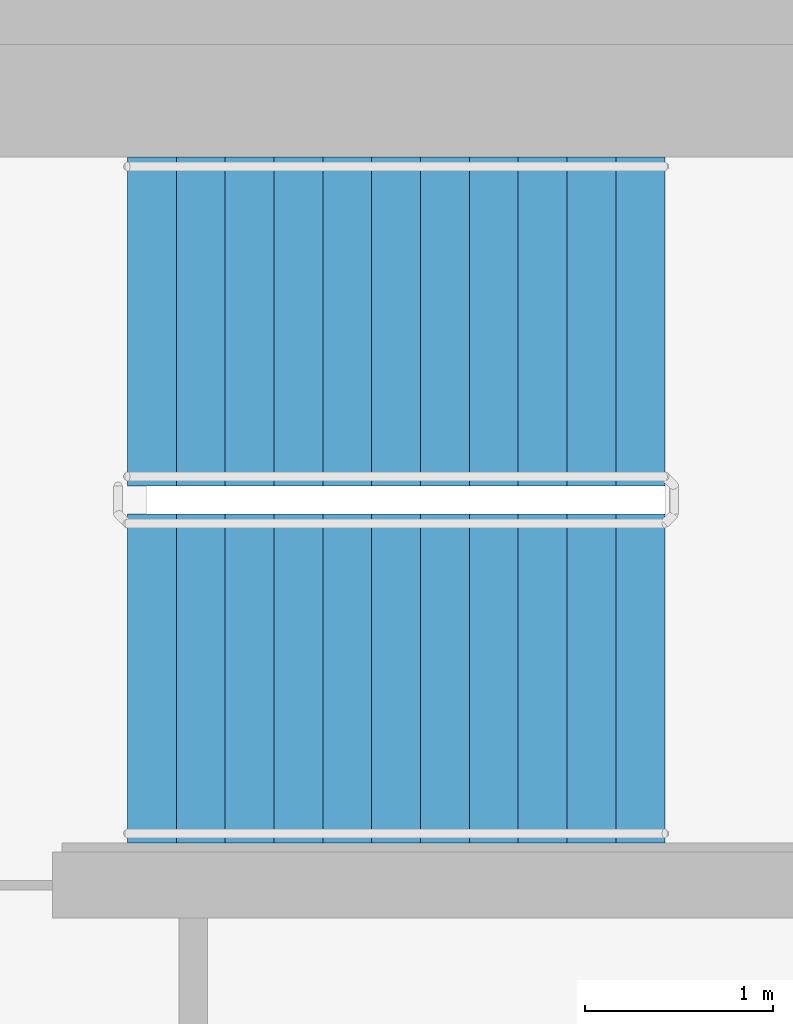
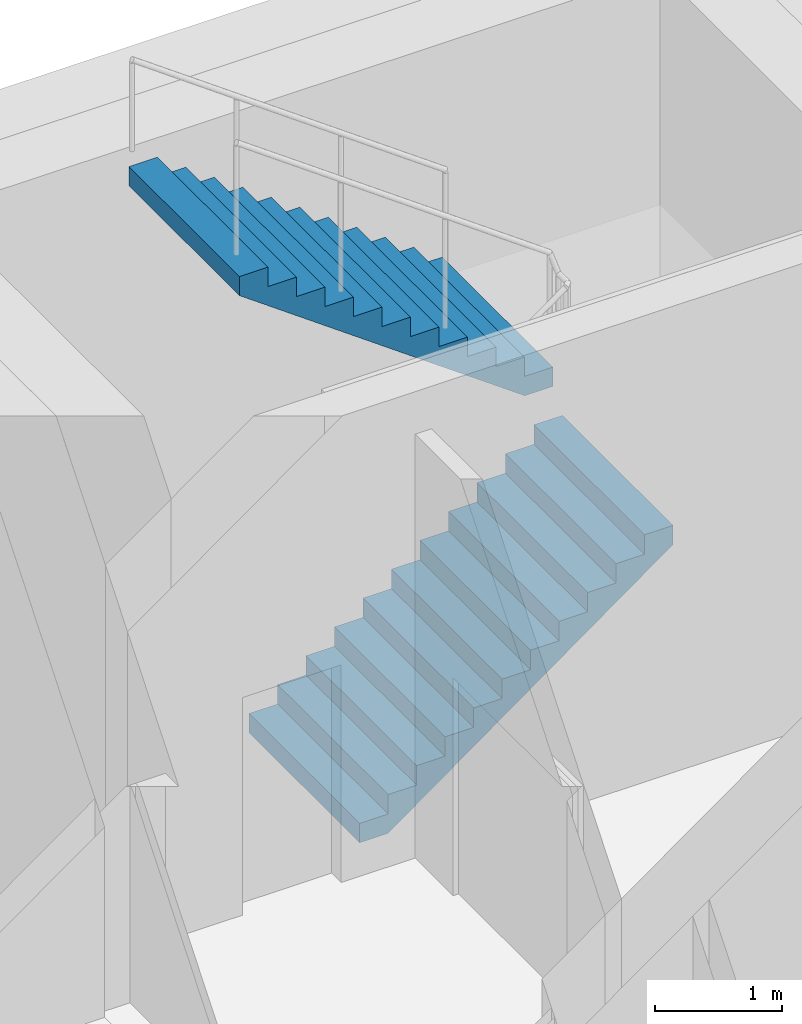
# One storey, part 9 of 12: 2 stair flights, 1 element without a shape of its own.
"""IFC4 building model written with IfcOpenShell, lengths in metres."""

import ifcopenshell
import ifcopenshell.guid

model = None  # the IFC model being written
_history = None  # IfcOwnerHistory: only IFC2X3 demands one
_inside = {}  # id of a spatial element -> (the spatial element, [elements in it])
_under = {}  # id of a project, library or spatial element -> (it, [spatial elements below it])
_declared = {}  # id of a project -> (the project, [libraries it declares])
_typed = {}  # id of a type object -> (the type object, [elements of that type])
_made_of = {}  # id of a material, layer set ... -> (it, [elements and type objects made of it])


def new_model(schema):
    """Start an empty IFC model of exactly this schema.

    Asked for "IFC4X3", IfcOpenShell would pick the latest addendum, in which some entities
    have other attributes; the version numbers below select the first issue.
    IFC2X3 requires an IfcOwnerHistory on every rooted entity: one is made here for all.
    """
    global model, _history
    if schema == "IFC4X3":
        model = ifcopenshell.file(schema_version=(4, 3, 0, 0))
    else:
        model = ifcopenshell.file(schema=schema)
    _inside.clear()
    _under.clear()
    _declared.clear()
    _typed.clear()
    _made_of.clear()
    _history = None
    if model.schema == "IFC2X3":
        org = make("IfcOrganization", Name="unknown")
        user = make(
            "IfcPersonAndOrganization",
            ThePerson=make("IfcPerson", FamilyName="unknown"),
            TheOrganization=org,
        )
        app = make(
            "IfcApplication",
            ApplicationDeveloper=org,
            Version="unknown",
            ApplicationFullName="unknown",
            ApplicationIdentifier="unknown",
        )
        _history = make(
            "IfcOwnerHistory",
            OwningUser=user,
            OwningApplication=app,
            ChangeAction="ADDED",
            CreationDate=0,
        )
    return model


def make(cls, **values):
    """One entity of the class cls with the attributes given. An attribute that is None is left unset."""
    return model.create_entity(
        cls, **{name: value for name, value in values.items() if value is not None}
    )


def rooted(cls, **values):
    """An entity with a GlobalId (a new one), such as an element, a storey or a relation."""
    return make(cls, GlobalId=ifcopenshell.guid.new(), OwnerHistory=_history, **values)


def si_unit(unit_type, name, prefix=None):
    """IfcSIUnit, for example si_unit("LENGTHUNIT", "METRE", prefix="MILLI")."""
    return make("IfcSIUnit", UnitType=unit_type, Prefix=prefix, Name=name)


def assignment(units):
    """IfcUnitAssignment: the units of a project."""
    return None if units is None else make("IfcUnitAssignment", Units=units)


def point(xyz):
    """IfcCartesianPoint."""
    return None if xyz is None else make("IfcCartesianPoint", Coordinates=xyz)


def direction(xyz):
    """IfcDirection."""
    return None if xyz is None else make("IfcDirection", DirectionRatios=xyz)


def frame(location, z_axis=None, x_axis=None):
    """IfcAxis2Placement3D, a coordinate frame: its origin and axes. An axis left out is left unset."""
    return make(
        "IfcAxis2Placement3D",
        Location=point(location),
        Axis=direction(z_axis),
        RefDirection=direction(x_axis),
    )


def origin():
    """The frame at (0, 0, 0) with its axes left unset."""
    return frame((0.0, 0.0, 0.0))


def place(relative_to, where):
    """IfcLocalPlacement: puts the frame where relative to a parent placement (None: the world)."""
    return make(
        "IfcLocalPlacement", PlacementRelTo=relative_to, RelativePlacement=where
    )


def context(
    kind, dimensions, precision=None, world=None, true_north=None, identifier=None
):
    """IfcGeometricRepresentationContext, for example the 3D "Model" context."""
    return make(
        "IfcGeometricRepresentationContext",
        ContextIdentifier=identifier,
        ContextType=kind,
        CoordinateSpaceDimension=dimensions,
        Precision=precision,
        WorldCoordinateSystem=world,
        TrueNorth=true_north,
    )


def subcontext(parent, identifier, kind, view, scale=None):
    """IfcGeometricRepresentationSubContext, for example "Body" below "Model"."""
    return make(
        "IfcGeometricRepresentationSubContext",
        ContextIdentifier=identifier,
        ContextType=kind,
        ParentContext=parent,
        TargetScale=scale,
        TargetView=view,
    )


def project(units=None, contexts=None):
    """IfcProject with its units and contexts."""
    return rooted(
        "IfcProject",
        Name="project",
        RepresentationContexts=contexts,
        UnitsInContext=assignment(units),
    )


def spatial(cls, under=None, at=None, **own):
    """A site, building, storey or space (cls), placed at a placement, below another one or the project."""
    s = rooted(cls, ObjectPlacement=at, **own)
    if under is not None:
        _under.setdefault(under.id(), (under, []))[1].append(s)
    return s


def faces_of(points, faces, orient=None, outer=None):
    """IfcFace entities. A face is a list of loops; a loop is a list of indices into points, from 0.

    orient and outer hold one flag for each loop. By default every Orientation is true, the
    first loop of a face is its IfcFaceOuterBound and the others are IfcFaceBound.
    """
    made = []
    for i, loops in enumerate(faces):
        bounds = []
        for j, loop in enumerate(loops):
            is_outer = j == 0 if outer is None else outer[i][j]
            bounds.append(
                make(
                    "IfcFaceOuterBound" if is_outer else "IfcFaceBound",
                    Bound=make("IfcPolyLoop", Polygon=[points[k] for k in loop]),
                    Orientation=True if orient is None else orient[i][j],
                )
            )
        made.append(make("IfcFace", Bounds=bounds))
    return made


def faceted_brep(points, faces, orient=None, outer=None, voids=None):
    """IfcFacetedBrep: a solid bounded by flat faces; with voids (closed shells), ...WithVoids."""
    shared = [point(p) for p in points]
    hull = make("IfcClosedShell", CfsFaces=faces_of(shared, faces, orient, outer))
    if voids is None:
        return make("IfcFacetedBrep", Outer=hull)
    return make(
        "IfcFacetedBrepWithVoids",
        Outer=hull,
        Voids=[
            make(cls, CfsFaces=faces_of(shared, fs, o, b)) for cls, fs, o, b in voids
        ],
    )


def shape(context_of_items, identifier, shape_type, items):
    """IfcShapeRepresentation: the items that make up one representation, for example the "Body"."""
    return make(
        "IfcShapeRepresentation",
        ContextOfItems=context_of_items,
        RepresentationIdentifier=identifier,
        RepresentationType=shape_type,
        Items=items,
    )


def material(Name=None, Category=None):
    """IfcMaterial."""
    return make("IfcMaterial", Name=Name, Category=Category)


def made_of(thing, what):
    """Note that an element or type object is made of a material, layer set ...; save() writes the relation."""
    if what is not None:
        _made_of.setdefault(what.id(), (what, []))[1].append(thing)
    return thing


def type_object(cls, material=None, **own):
    """A type object (cls), such as IfcWallType, which elements share."""
    return made_of(rooted(cls, **own), material)


def element(
    cls,
    number,
    at=None,
    inside=None,
    cuts=None,
    type_object=None,
    material=None,
    context=None,
    identifier="Body",
    shape_type=None,
    held_by="IfcProductDefinitionShape",
    body=None,
    shapes=None,
    **own,
):
    """One element of the class cls, such as IfcWall. Its Tag is "e" and its number.

    at: its placement. inside: the storey or other place that contains it. cuts: it is an
    opening in that element (IfcRelVoidsElement). A single representation is given by context,
    identifier, shape_type and body (its items); several are given by shapes. held_by: the class
    of the entity that holds the representations. save() writes the other relations.
    """
    e = rooted(cls, Tag="e%d" % number, ObjectPlacement=at, **own)
    if body is not None:
        shapes = [shape(context, identifier, shape_type, body)]
    if shapes is not None:
        e.Representation = make(held_by, Representations=shapes)
    if inside is not None:
        _inside.setdefault(inside.id(), (inside, []))[1].append(e)
    if cuts is not None:
        rooted(
            "IfcRelVoidsElement", RelatingBuildingElement=cuts, RelatedOpeningElement=e
        )
    if type_object is not None:
        _typed.setdefault(type_object.id(), (type_object, []))[1].append(e)
    return made_of(e, material)


def aggregate(whole, parts):
    """IfcRelAggregates: a whole, such as a stair, and the parts it consists of."""
    return rooted("IfcRelAggregates", RelatingObject=whole, RelatedObjects=parts)


def save(model, path):
    """Write the relations noted so far, then the file.

    IfcRelAggregates (storeys below a building ...), IfcRelContainedInSpatialStructure (elements
    in a storey), IfcRelDefinesByType, IfcRelAssociatesMaterial and IfcRelDeclares: one each for
    every whole, place, type object, material and project.
    """
    for whole, parts in _under.values():
        aggregate(whole, parts)
    for where, things in _inside.values():
        rooted(
            "IfcRelContainedInSpatialStructure",
            RelatedElements=things,
            RelatingStructure=where,
        )
    for kind, things in _typed.values():
        rooted("IfcRelDefinesByType", RelatedObjects=things, RelatingType=kind)
    for what, things in _made_of.values():
        rooted("IfcRelAssociatesMaterial", RelatedObjects=things, RelatingMaterial=what)
    for by, libraries in _declared.values():
        rooted("IfcRelDeclares", RelatingContext=by, RelatedDefinitions=libraries)
    model.write(path)


model = new_model("IFC4")

# Units and contexts
model_context = context("Model", 3, precision=1e-05, world=origin(), true_north=direction((0.0, 1.0)))
body_context = subcontext(model_context, "Body", "Model", "MODEL_VIEW")
ifc_project = project(units=[si_unit("LENGTHUNIT", "METRE"), si_unit("AREAUNIT", "SQUARE_METRE"), si_unit("VOLUMEUNIT", "CUBIC_METRE"), si_unit("PLANEANGLEUNIT", "RADIAN"), si_unit("MASSUNIT", "GRAM", prefix="KILO")], contexts=[model_context])

# Site, building, storey
site_placement = place(None, origin())
site = spatial("IfcSite", under=ifc_project, at=site_placement, CompositionType="ELEMENT")
building_placement = place(site_placement, origin())
building = spatial("IfcBuilding", under=site, at=building_placement, Name="Ipe Terrace Towers", CompositionType="ELEMENT")
storey_placement = place(building_placement, frame((0.0, 0.0, 260.39990234375)))
storey = spatial("IfcBuildingStorey", under=building, at=storey_placement, Name="L71", CompositionType="ELEMENT", Elevation=260.39990234375)

# Stair, stair flights
ifc_material_1 = material(Name="Concrete C30/37", Category="concrete")
stair_type = type_object("IfcStairType", Name="Protected exit stair", PredefinedType="HALF_TURN_STAIR", material=ifc_material_1)
stair_placement = place(storey_placement, origin())
stair = element("IfcStair", 1, at=stair_placement, inside=storey, type_object=stair_type, Name="L71 Exit stair T1-C1", PredefinedType="HALF_TURN_STAIR")
ifc_material_2 = material(Name="Concrete C30/37", Category="concrete")
stair_flight_type = type_object("IfcStairFlightType", Name="Exit stair flight 1750", PredefinedType="STRAIGHT", material=ifc_material_2)
stair_flight_1_placement = place(storey_placement, frame((-26.300048828125, 2.77490234375, 0.0), z_axis=(0.0, 0.0, 1.0), x_axis=(1.0, 0.0, 0.0)))
stair_flight_1 = element("IfcStairFlight", 2, at=stair_flight_1_placement, type_object=stair_flight_type, Name="T1-ST1 flight 1", NumberOfRisers=12, NumberOfTreads=11, PredefinedType="STRAIGHT", RiserHeight=0.1875, TreadLength=0.26, context=body_context, shape_type="Brep", body=[
    faceted_brep([(0.25634765625, -0.875, 0.0), (2.860107421875, -0.875, 1.877685546875), (2.860107421875, -0.875, 2.0625), (2.60009765625, -0.875, 2.0625), (2.60009765625, -0.875, 1.875), (2.340087890625, -0.875, 1.875), (2.340087890625, -0.875, 1.6875), (2.080078125, -0.875, 1.6875), (2.080078125, -0.875, 1.5), (1.820068359375, -0.875, 1.5), (1.820068359375, -0.875, 1.3125), (1.56005859375, -0.875, 1.3125), (1.56005859375, -0.875, 1.125), (1.300048828125, -0.875, 1.125), (1.300048828125, -0.875, 0.9375), (1.0400390625, -0.875, 0.9375), (1.0400390625, -0.875, 0.75), (0.780029296875, -0.875, 0.75), (0.780029296875, -0.875, 0.5625), (0.52001953125, -0.875, 0.5625), (0.52001953125, -0.875, 0.375), (0.260009765625, -0.875, 0.375), (0.260009765625, -0.875, 0.1875), (0.0, -0.875, 0.1875), (0.0, -0.875, 0.0), (0.0, 0.875, 0.0), (0.0, 0.875, 0.1875), (0.260009765625, 0.875, 0.1875), (0.260009765625, 0.875, 0.375), (0.52001953125, 0.875, 0.375), (0.52001953125, 0.875, 0.5625), (0.780029296875, 0.875, 0.5625), (0.780029296875, 0.875, 0.75), (1.0400390625, 0.875, 0.75), (1.0400390625, 0.875, 0.9375), (1.300048828125, 0.875, 0.9375), (1.300048828125, 0.875, 1.125), (1.56005859375, 0.875, 1.125), (1.56005859375, 0.875, 1.3125), (1.820068359375, 0.875, 1.3125), (1.820068359375, 0.875, 1.5), (2.080078125, 0.875, 1.5), (2.080078125, 0.875, 1.6875), (2.340087890625, 0.875, 1.6875), (2.340087890625, 0.875, 1.875), (2.60009765625, 0.875, 1.875), (2.60009765625, 0.875, 2.0625), (2.860107421875, 0.875, 2.0625), (2.860107421875, 0.875, 1.877685546875), (0.25634765625, 0.875, 0.0), (0.0, -0.300048828125, 0.1875), (0.0, -0.1201171875, 0.1875), (0.0, -0.06005859375, 0.1875), (0.0, -0.030029296875, 0.1875), (0.0, -0.010009765625, 0.1875), (0.0, 0.0, 0.1875), (0.0, 0.010009765625, 0.1875), (0.0, 0.030029296875, 0.1875), (0.0, 0.06005859375, 0.1875), (0.0, 0.1201171875, 0.1875), (0.0, 0.300048828125, 0.1875), (0.0, 0.300048828125, 0.0), (0.0, 0.1201171875, 0.0), (0.0, 0.06005859375, 0.0), (0.0, 0.030029296875, 0.0), (0.0, 0.010009765625, 0.0), (0.0, 0.0, 0.0), (0.0, -0.010009765625, 0.0), (0.0, -0.030029296875, 0.0), (0.0, -0.06005859375, 0.0), (0.0, -0.1201171875, 0.0), (0.0, -0.300048828125, 0.0), (0.260009765625, -0.300048828125, 0.1875), (0.260009765625, -0.1201171875, 0.1875), (0.260009765625, -0.06005859375, 0.1875), (0.260009765625, -0.030029296875, 0.1875), (0.260009765625, -0.010009765625, 0.1875), (0.260009765625, 0.0, 0.1875), (0.260009765625, 0.010009765625, 0.1875), (0.260009765625, 0.030029296875, 0.1875), (0.260009765625, 0.06005859375, 0.1875), (0.260009765625, 0.1201171875, 0.1875), (0.260009765625, 0.300048828125, 0.1875), (0.260009765625, -0.300048828125, 0.375), (0.260009765625, -0.1201171875, 0.375), (0.260009765625, -0.06005859375, 0.375), (0.260009765625, -0.030029296875, 0.375), (0.260009765625, -0.010009765625, 0.375), (0.260009765625, 0.0, 0.375), (0.260009765625, 0.010009765625, 0.375), (0.260009765625, 0.030029296875, 0.375), (0.260009765625, 0.06005859375, 0.375), (0.260009765625, 0.1201171875, 0.375), (0.260009765625, 0.300048828125, 0.375), (0.52001953125, -0.300048828125, 0.375), (0.52001953125, -0.1201171875, 0.375), (0.52001953125, -0.06005859375, 0.375), (0.52001953125, -0.030029296875, 0.375), (0.52001953125, -0.010009765625, 0.375), (0.52001953125, 0.0, 0.375), (0.52001953125, 0.010009765625, 0.375), (0.52001953125, 0.030029296875, 0.375), (0.52001953125, 0.06005859375, 0.375), (0.52001953125, 0.1201171875, 0.375), (0.52001953125, 0.300048828125, 0.375), (0.52001953125, -0.300048828125, 0.5625), (0.52001953125, -0.1201171875, 0.5625), (0.52001953125, -0.06005859375, 0.5625), (0.52001953125, -0.030029296875, 0.5625), (0.52001953125, -0.010009765625, 0.5625), (0.52001953125, 0.0, 0.5625), (0.52001953125, 0.010009765625, 0.5625), (0.52001953125, 0.030029296875, 0.5625), (0.52001953125, 0.06005859375, 0.5625), (0.52001953125, 0.1201171875, 0.5625), (0.52001953125, 0.300048828125, 0.5625), (0.780029296875, -0.300048828125, 0.5625), (0.780029296875, -0.1201171875, 0.5625), (0.780029296875, -0.06005859375, 0.5625), (0.780029296875, -0.030029296875, 0.5625), (0.780029296875, -0.010009765625, 0.5625), (0.780029296875, 0.0, 0.5625), (0.780029296875, 0.010009765625, 0.5625), (0.780029296875, 0.030029296875, 0.5625), (0.780029296875, 0.06005859375, 0.5625), (0.780029296875, 0.1201171875, 0.5625), (0.780029296875, 0.300048828125, 0.5625), (0.780029296875, -0.300048828125, 0.75), (0.780029296875, -0.1201171875, 0.75), (0.780029296875, -0.06005859375, 0.75), (0.780029296875, -0.030029296875, 0.75), (0.780029296875, -0.010009765625, 0.75), (0.780029296875, 0.0, 0.75), (0.780029296875, 0.010009765625, 0.75), (0.780029296875, 0.030029296875, 0.75), (0.780029296875, 0.06005859375, 0.75), (0.780029296875, 0.1201171875, 0.75), (0.780029296875, 0.300048828125, 0.75), (1.0400390625, -0.300048828125, 0.75), (1.0400390625, -0.1201171875, 0.75), (1.0400390625, -0.06005859375, 0.75), (1.0400390625, -0.030029296875, 0.75), (1.0400390625, -0.010009765625, 0.75), (1.0400390625, 0.0, 0.75), (1.0400390625, 0.010009765625, 0.75), (1.0400390625, 0.030029296875, 0.75), (1.0400390625, 0.06005859375, 0.75), (1.0400390625, 0.1201171875, 0.75), (1.0400390625, 0.300048828125, 0.75), (1.0400390625, -0.300048828125, 0.9375), (1.0400390625, -0.1201171875, 0.9375), (1.0400390625, -0.06005859375, 0.9375), (1.0400390625, -0.030029296875, 0.9375), (1.0400390625, -0.010009765625, 0.9375), (1.0400390625, 0.0, 0.9375), (1.0400390625, 0.010009765625, 0.9375), (1.0400390625, 0.030029296875, 0.9375), (1.0400390625, 0.06005859375, 0.9375), (1.0400390625, 0.1201171875, 0.9375), (1.0400390625, 0.300048828125, 0.9375), (1.300048828125, -0.300048828125, 0.9375), (1.300048828125, -0.1201171875, 0.9375), (1.300048828125, -0.06005859375, 0.9375), (1.300048828125, -0.030029296875, 0.9375), (1.300048828125, -0.010009765625, 0.9375), (1.300048828125, 0.0, 0.9375), (1.300048828125, 0.010009765625, 0.9375), (1.300048828125, 0.030029296875, 0.9375), (1.300048828125, 0.06005859375, 0.9375), (1.300048828125, 0.1201171875, 0.9375), (1.300048828125, 0.300048828125, 0.9375), (1.300048828125, -0.300048828125, 1.125), (1.300048828125, -0.1201171875, 1.125), (1.300048828125, -0.06005859375, 1.125), (1.300048828125, -0.030029296875, 1.125), (1.300048828125, -0.010009765625, 1.125), (1.300048828125, 0.0, 1.125), (1.300048828125, 0.010009765625, 1.125), (1.300048828125, 0.030029296875, 1.125), (1.300048828125, 0.06005859375, 1.125), (1.300048828125, 0.1201171875, 1.125), (1.300048828125, 0.300048828125, 1.125), (1.56005859375, -0.300048828125, 1.125), (1.56005859375, -0.1201171875, 1.125), (1.56005859375, -0.06005859375, 1.125), (1.56005859375, -0.030029296875, 1.125), (1.56005859375, -0.010009765625, 1.125), (1.56005859375, 0.0, 1.125), (1.56005859375, 0.010009765625, 1.125), (1.56005859375, 0.030029296875, 1.125), (1.56005859375, 0.06005859375, 1.125), (1.56005859375, 0.1201171875, 1.125), (1.56005859375, 0.300048828125, 1.125), (1.56005859375, -0.300048828125, 1.3125), (1.56005859375, -0.1201171875, 1.3125), (1.56005859375, -0.06005859375, 1.3125), (1.56005859375, -0.030029296875, 1.3125), (1.56005859375, -0.010009765625, 1.3125), (1.56005859375, 0.0, 1.3125), (1.56005859375, 0.010009765625, 1.3125), (1.56005859375, 0.030029296875, 1.3125), (1.56005859375, 0.06005859375, 1.3125), (1.56005859375, 0.1201171875, 1.3125), (1.56005859375, 0.300048828125, 1.3125), (1.820068359375, -0.300048828125, 1.3125), (1.820068359375, -0.1201171875, 1.3125), (1.820068359375, -0.06005859375, 1.3125), (1.820068359375, -0.030029296875, 1.3125), (1.820068359375, -0.010009765625, 1.3125), (1.820068359375, 0.0, 1.3125), (1.820068359375, 0.010009765625, 1.3125), (1.820068359375, 0.030029296875, 1.3125), (1.820068359375, 0.06005859375, 1.3125), (1.820068359375, 0.1201171875, 1.3125), (1.820068359375, 0.300048828125, 1.3125), (1.820068359375, -0.300048828125, 1.5), (1.820068359375, -0.1201171875, 1.5), (1.820068359375, -0.06005859375, 1.5), (1.820068359375, -0.030029296875, 1.5), (1.820068359375, -0.010009765625, 1.5), (1.820068359375, 0.0, 1.5), (1.820068359375, 0.010009765625, 1.5), (1.820068359375, 0.030029296875, 1.5), (1.820068359375, 0.06005859375, 1.5), (1.820068359375, 0.1201171875, 1.5), (1.820068359375, 0.300048828125, 1.5), (2.080078125, -0.300048828125, 1.5), (2.080078125, -0.1201171875, 1.5), (2.080078125, -0.06005859375, 1.5), (2.080078125, -0.030029296875, 1.5), (2.080078125, -0.010009765625, 1.5), (2.080078125, 0.0, 1.5), (2.080078125, 0.010009765625, 1.5), (2.080078125, 0.030029296875, 1.5), (2.080078125, 0.06005859375, 1.5), (2.080078125, 0.1201171875, 1.5), (2.080078125, 0.300048828125, 1.5), (2.080078125, -0.300048828125, 1.6875), (2.080078125, -0.1201171875, 1.6875), (2.080078125, -0.06005859375, 1.6875), (2.080078125, -0.030029296875, 1.6875), (2.080078125, -0.010009765625, 1.6875), (2.080078125, 0.0, 1.6875), (2.080078125, 0.010009765625, 1.6875), (2.080078125, 0.030029296875, 1.6875), (2.080078125, 0.06005859375, 1.6875), (2.080078125, 0.1201171875, 1.6875), (2.080078125, 0.300048828125, 1.6875), (2.340087890625, -0.300048828125, 1.6875), (2.340087890625, -0.1201171875, 1.6875), (2.340087890625, -0.06005859375, 1.6875), (2.340087890625, -0.030029296875, 1.6875), (2.340087890625, -0.010009765625, 1.6875), (2.340087890625, 0.0, 1.6875), (2.340087890625, 0.010009765625, 1.6875), (2.340087890625, 0.030029296875, 1.6875), (2.340087890625, 0.06005859375, 1.6875), (2.340087890625, 0.1201171875, 1.6875), (2.340087890625, 0.300048828125, 1.6875), (2.340087890625, -0.300048828125, 1.875), (2.340087890625, -0.1201171875, 1.875), (2.340087890625, -0.06005859375, 1.875), (2.340087890625, -0.030029296875, 1.875), (2.340087890625, -0.010009765625, 1.875), (2.340087890625, 0.0, 1.875), (2.340087890625, 0.010009765625, 1.875), (2.340087890625, 0.030029296875, 1.875), (2.340087890625, 0.06005859375, 1.875), (2.340087890625, 0.1201171875, 1.875), (2.340087890625, 0.300048828125, 1.875), (2.60009765625, -0.300048828125, 1.875), (2.60009765625, -0.1201171875, 1.875), (2.60009765625, -0.06005859375, 1.875), (2.60009765625, -0.030029296875, 1.875), (2.60009765625, -0.010009765625, 1.875), (2.60009765625, 0.0, 1.875), (2.60009765625, 0.010009765625, 1.875), (2.60009765625, 0.030029296875, 1.875), (2.60009765625, 0.06005859375, 1.875), (2.60009765625, 0.1201171875, 1.875), (2.60009765625, 0.300048828125, 1.875), (2.60009765625, -0.300048828125, 2.0625), (2.60009765625, -0.1201171875, 2.0625), (2.60009765625, -0.06005859375, 2.0625), (2.60009765625, -0.030029296875, 2.0625), (2.60009765625, -0.010009765625, 2.0625), (2.60009765625, 0.0, 2.0625), (2.60009765625, 0.010009765625, 2.0625), (2.60009765625, 0.030029296875, 2.0625), (2.60009765625, 0.06005859375, 2.0625), (2.60009765625, 0.1201171875, 2.0625), (2.60009765625, 0.300048828125, 2.0625), (2.860107421875, -0.300048828125, 2.0625), (2.860107421875, -0.1201171875, 2.0625), (2.860107421875, -0.06005859375, 2.0625), (2.860107421875, -0.030029296875, 2.0625), (2.860107421875, -0.010009765625, 2.0625), (2.860107421875, 0.0, 2.0625), (2.860107421875, 0.010009765625, 2.0625), (2.860107421875, 0.030029296875, 2.0625), (2.860107421875, 0.06005859375, 2.0625), (2.860107421875, 0.1201171875, 2.0625), (2.860107421875, 0.300048828125, 2.0625), (2.860107421875, -0.300048828125, 1.877685546875), (2.860107421875, -0.1201171875, 1.877685546875), (2.860107421875, -0.06005859375, 1.877685546875), (2.860107421875, -0.030029296875, 1.877685546875), (2.860107421875, -0.010009765625, 1.877685546875), (2.860107421875, 0.0, 1.877685546875), (2.860107421875, 0.010009765625, 1.877685546875), (2.860107421875, 0.030029296875, 1.877685546875), (2.860107421875, 0.06005859375, 1.877685546875), (2.860107421875, 0.1201171875, 1.877685546875), (2.860107421875, 0.300048828125, 1.877685546875), (0.25634765625, -0.300048828125, 0.0), (0.25634765625, -0.1201171875, 0.0), (0.25634765625, -0.06005859375, 0.0), (0.25634765625, -0.030029296875, 0.0), (0.25634765625, -0.010009765625, 0.0), (0.25634765625, 0.0, 0.0), (0.25634765625, 0.010009765625, 0.0), (0.25634765625, 0.030029296875, 0.0), (0.25634765625, 0.06005859375, 0.0), (0.25634765625, 0.1201171875, 0.0), (0.25634765625, 0.300048828125, 0.0)], [[[0, 1, 2, 3, 4, 5, 6, 7, 8, 9, 10, 11, 12, 13, 14, 15, 16, 17, 18, 19, 20, 21, 22, 23, 24]], [[25, 26, 27, 28, 29, 30, 31, 32, 33, 34, 35, 36, 37, 38, 39, 40, 41, 42, 43, 44, 45, 46, 47, 48, 49]], [[23, 50, 51, 52, 53, 54, 55, 56, 57, 58, 59, 60, 26, 25, 61, 62, 63, 64, 65, 66, 67, 68, 69, 70, 71, 24]], [[22, 72, 73, 74, 75, 76, 77, 78, 79, 80, 81, 82, 27, 26, 60, 59, 58, 57, 56, 55, 54, 53, 52, 51, 50, 23]], [[21, 83, 84, 85, 86, 87, 88, 89, 90, 91, 92, 93, 28, 27, 82, 81, 80, 79, 78, 77, 76, 75, 74, 73, 72, 22]], [[20, 94, 95, 96, 97, 98, 99, 100, 101, 102, 103, 104, 29, 28, 93, 92, 91, 90, 89, 88, 87, 86, 85, 84, 83, 21]], [[19, 105, 106, 107, 108, 109, 110, 111, 112, 113, 114, 115, 30, 29, 104, 103, 102, 101, 100, 99, 98, 97, 96, 95, 94, 20]], [[18, 116, 117, 118, 119, 120, 121, 122, 123, 124, 125, 126, 31, 30, 115, 114, 113, 112, 111, 110, 109, 108, 107, 106, 105, 19]], [[17, 127, 128, 129, 130, 131, 132, 133, 134, 135, 136, 137, 32, 31, 126, 125, 124, 123, 122, 121, 120, 119, 118, 117, 116, 18]], [[16, 138, 139, 140, 141, 142, 143, 144, 145, 146, 147, 148, 33, 32, 137, 136, 135, 134, 133, 132, 131, 130, 129, 128, 127, 17]], [[15, 149, 150, 151, 152, 153, 154, 155, 156, 157, 158, 159, 34, 33, 148, 147, 146, 145, 144, 143, 142, 141, 140, 139, 138, 16]], [[14, 160, 161, 162, 163, 164, 165, 166, 167, 168, 169, 170, 35, 34, 159, 158, 157, 156, 155, 154, 153, 152, 151, 150, 149, 15]], [[13, 171, 172, 173, 174, 175, 176, 177, 178, 179, 180, 181, 36, 35, 170, 169, 168, 167, 166, 165, 164, 163, 162, 161, 160, 14]], [[12, 182, 183, 184, 185, 186, 187, 188, 189, 190, 191, 192, 37, 36, 181, 180, 179, 178, 177, 176, 175, 174, 173, 172, 171, 13]], [[11, 193, 194, 195, 196, 197, 198, 199, 200, 201, 202, 203, 38, 37, 192, 191, 190, 189, 188, 187, 186, 185, 184, 183, 182, 12]], [[10, 204, 205, 206, 207, 208, 209, 210, 211, 212, 213, 214, 39, 38, 203, 202, 201, 200, 199, 198, 197, 196, 195, 194, 193, 11]], [[9, 215, 216, 217, 218, 219, 220, 221, 222, 223, 224, 225, 40, 39, 214, 213, 212, 211, 210, 209, 208, 207, 206, 205, 204, 10]], [[8, 226, 227, 228, 229, 230, 231, 232, 233, 234, 235, 236, 41, 40, 225, 224, 223, 222, 221, 220, 219, 218, 217, 216, 215, 9]], [[7, 237, 238, 239, 240, 241, 242, 243, 244, 245, 246, 247, 42, 41, 236, 235, 234, 233, 232, 231, 230, 229, 228, 227, 226, 8]], [[6, 248, 249, 250, 251, 252, 253, 254, 255, 256, 257, 258, 43, 42, 247, 246, 245, 244, 243, 242, 241, 240, 239, 238, 237, 7]], [[5, 259, 260, 261, 262, 263, 264, 265, 266, 267, 268, 269, 44, 43, 258, 257, 256, 255, 254, 253, 252, 251, 250, 249, 248, 6]], [[4, 270, 271, 272, 273, 274, 275, 276, 277, 278, 279, 280, 45, 44, 269, 268, 267, 266, 265, 264, 263, 262, 261, 260, 259, 5]], [[3, 281, 282, 283, 284, 285, 286, 287, 288, 289, 290, 291, 46, 45, 280, 279, 278, 277, 276, 275, 274, 273, 272, 271, 270, 4]], [[2, 292, 293, 294, 295, 296, 297, 298, 299, 300, 301, 302, 47, 46, 291, 290, 289, 288, 287, 286, 285, 284, 283, 282, 281, 3]], [[1, 303, 304, 305, 306, 307, 308, 309, 310, 311, 312, 313, 48, 47, 302, 301, 300, 299, 298, 297, 296, 295, 294, 293, 292, 2]], [[0, 314, 315, 316, 317, 318, 319, 320, 321, 322, 323, 324, 49, 48, 313, 312, 311, 310, 309, 308, 307, 306, 305, 304, 303, 1]], [[24, 71, 70, 69, 68, 67, 66, 65, 64, 63, 62, 61, 25, 49, 324, 323, 322, 321, 320, 319, 318, 317, 316, 315, 314, 0]]]),
])
stair_flight_2_placement = place(storey_placement, frame((-23.43994140625, 4.675048828125, 2.25), z_axis=(0.0, 0.0, 1.0), x_axis=(-1.0, 0.0, 0.0)))
stair_flight_2 = element("IfcStairFlight", 3, at=stair_flight_2_placement, type_object=stair_flight_type, Name="T1-ST1 flight 2", NumberOfRisers=12, NumberOfTreads=11, PredefinedType="STRAIGHT", RiserHeight=0.1875, TreadLength=0.26, context=body_context, shape_type="Brep", body=[
    faceted_brep([(0.25634765625, -0.875, 0.0), (2.860107421875, -0.875, 1.877685546875), (2.860107421875, -0.875, 2.0625), (2.60009765625, -0.875, 2.0625), (2.60009765625, -0.875, 1.875), (2.340087890625, -0.875, 1.875), (2.340087890625, -0.875, 1.6875), (2.080078125, -0.875, 1.6875), (2.080078125, -0.875, 1.5), (1.820068359375, -0.875, 1.5), (1.820068359375, -0.875, 1.3125), (1.56005859375, -0.875, 1.3125), (1.56005859375, -0.875, 1.125), (1.300048828125, -0.875, 1.125), (1.300048828125, -0.875, 0.9375), (1.0400390625, -0.875, 0.9375), (1.0400390625, -0.875, 0.75), (0.780029296875, -0.875, 0.75), (0.780029296875, -0.875, 0.5625), (0.52001953125, -0.875, 0.5625), (0.52001953125, -0.875, 0.375), (0.260009765625, -0.875, 0.375), (0.260009765625, -0.875, 0.1875), (0.0, -0.875, 0.1875), (0.0, -0.875, 0.0), (0.0, 0.875, 0.0), (0.0, 0.875, 0.1875), (0.260009765625, 0.875, 0.1875), (0.260009765625, 0.875, 0.375), (0.52001953125, 0.875, 0.375), (0.52001953125, 0.875, 0.5625), (0.780029296875, 0.875, 0.5625), (0.780029296875, 0.875, 0.75), (1.0400390625, 0.875, 0.75), (1.0400390625, 0.875, 0.9375), (1.300048828125, 0.875, 0.9375), (1.300048828125, 0.875, 1.125), (1.56005859375, 0.875, 1.125), (1.56005859375, 0.875, 1.3125), (1.820068359375, 0.875, 1.3125), (1.820068359375, 0.875, 1.5), (2.080078125, 0.875, 1.5), (2.080078125, 0.875, 1.6875), (2.340087890625, 0.875, 1.6875), (2.340087890625, 0.875, 1.875), (2.60009765625, 0.875, 1.875), (2.60009765625, 0.875, 2.0625), (2.860107421875, 0.875, 2.0625), (2.860107421875, 0.875, 1.877685546875), (0.25634765625, 0.875, 0.0), (0.0, -0.300048828125, 0.1875), (0.0, -0.1201171875, 0.1875), (0.0, -0.06005859375, 0.1875), (0.0, -0.030029296875, 0.1875), (0.0, -0.010009765625, 0.1875), (0.0, 0.0, 0.1875), (0.0, 0.010009765625, 0.1875), (0.0, 0.030029296875, 0.1875), (0.0, 0.06005859375, 0.1875), (0.0, 0.1201171875, 0.1875), (0.0, 0.300048828125, 0.1875), (0.0, 0.300048828125, 0.0), (0.0, 0.1201171875, 0.0), (0.0, 0.06005859375, 0.0), (0.0, 0.030029296875, 0.0), (0.0, 0.010009765625, 0.0), (0.0, 0.0, 0.0), (0.0, -0.010009765625, 0.0), (0.0, -0.030029296875, 0.0), (0.0, -0.06005859375, 0.0), (0.0, -0.1201171875, 0.0), (0.0, -0.300048828125, 0.0), (0.260009765625, -0.300048828125, 0.1875), (0.260009765625, -0.1201171875, 0.1875), (0.260009765625, -0.06005859375, 0.1875), (0.260009765625, -0.030029296875, 0.1875), (0.260009765625, -0.010009765625, 0.1875), (0.260009765625, 0.0, 0.1875), (0.260009765625, 0.010009765625, 0.1875), (0.260009765625, 0.030029296875, 0.1875), (0.260009765625, 0.06005859375, 0.1875), (0.260009765625, 0.1201171875, 0.1875), (0.260009765625, 0.300048828125, 0.1875), (0.260009765625, -0.300048828125, 0.375), (0.260009765625, -0.1201171875, 0.375), (0.260009765625, -0.06005859375, 0.375), (0.260009765625, -0.030029296875, 0.375), (0.260009765625, -0.010009765625, 0.375), (0.260009765625, 0.0, 0.375), (0.260009765625, 0.010009765625, 0.375), (0.260009765625, 0.030029296875, 0.375), (0.260009765625, 0.06005859375, 0.375), (0.260009765625, 0.1201171875, 0.375), (0.260009765625, 0.300048828125, 0.375), (0.52001953125, -0.300048828125, 0.375), (0.52001953125, -0.1201171875, 0.375), (0.52001953125, -0.06005859375, 0.375), (0.52001953125, -0.030029296875, 0.375), (0.52001953125, -0.010009765625, 0.375), (0.52001953125, 0.0, 0.375), (0.52001953125, 0.010009765625, 0.375), (0.52001953125, 0.030029296875, 0.375), (0.52001953125, 0.06005859375, 0.375), (0.52001953125, 0.1201171875, 0.375), (0.52001953125, 0.300048828125, 0.375), (0.52001953125, -0.300048828125, 0.5625), (0.52001953125, -0.1201171875, 0.5625), (0.52001953125, -0.06005859375, 0.5625), (0.52001953125, -0.030029296875, 0.5625), (0.52001953125, -0.010009765625, 0.5625), (0.52001953125, 0.0, 0.5625), (0.52001953125, 0.010009765625, 0.5625), (0.52001953125, 0.030029296875, 0.5625), (0.52001953125, 0.06005859375, 0.5625), (0.52001953125, 0.1201171875, 0.5625), (0.52001953125, 0.300048828125, 0.5625), (0.780029296875, -0.300048828125, 0.5625), (0.780029296875, -0.1201171875, 0.5625), (0.780029296875, -0.06005859375, 0.5625), (0.780029296875, -0.030029296875, 0.5625), (0.780029296875, -0.010009765625, 0.5625), (0.780029296875, 0.0, 0.5625), (0.780029296875, 0.010009765625, 0.5625), (0.780029296875, 0.030029296875, 0.5625), (0.780029296875, 0.06005859375, 0.5625), (0.780029296875, 0.1201171875, 0.5625), (0.780029296875, 0.300048828125, 0.5625), (0.780029296875, -0.300048828125, 0.75), (0.780029296875, -0.1201171875, 0.75), (0.780029296875, -0.06005859375, 0.75), (0.780029296875, -0.030029296875, 0.75), (0.780029296875, -0.010009765625, 0.75), (0.780029296875, 0.0, 0.75), (0.780029296875, 0.010009765625, 0.75), (0.780029296875, 0.030029296875, 0.75), (0.780029296875, 0.06005859375, 0.75), (0.780029296875, 0.1201171875, 0.75), (0.780029296875, 0.300048828125, 0.75), (1.0400390625, -0.300048828125, 0.75), (1.0400390625, -0.1201171875, 0.75), (1.0400390625, -0.06005859375, 0.75), (1.0400390625, -0.030029296875, 0.75), (1.0400390625, -0.010009765625, 0.75), (1.0400390625, 0.0, 0.75), (1.0400390625, 0.010009765625, 0.75), (1.0400390625, 0.030029296875, 0.75), (1.0400390625, 0.06005859375, 0.75), (1.0400390625, 0.1201171875, 0.75), (1.0400390625, 0.300048828125, 0.75), (1.0400390625, -0.300048828125, 0.9375), (1.0400390625, -0.1201171875, 0.9375), (1.0400390625, -0.06005859375, 0.9375), (1.0400390625, -0.030029296875, 0.9375), (1.0400390625, -0.010009765625, 0.9375), (1.0400390625, 0.0, 0.9375), (1.0400390625, 0.010009765625, 0.9375), (1.0400390625, 0.030029296875, 0.9375), (1.0400390625, 0.06005859375, 0.9375), (1.0400390625, 0.1201171875, 0.9375), (1.0400390625, 0.300048828125, 0.9375), (1.300048828125, -0.300048828125, 0.9375), (1.300048828125, -0.1201171875, 0.9375), (1.300048828125, -0.06005859375, 0.9375), (1.300048828125, -0.030029296875, 0.9375), (1.300048828125, -0.010009765625, 0.9375), (1.300048828125, 0.0, 0.9375), (1.300048828125, 0.010009765625, 0.9375), (1.300048828125, 0.030029296875, 0.9375), (1.300048828125, 0.06005859375, 0.9375), (1.300048828125, 0.1201171875, 0.9375), (1.300048828125, 0.300048828125, 0.9375), (1.300048828125, -0.300048828125, 1.125), (1.300048828125, -0.1201171875, 1.125), (1.300048828125, -0.06005859375, 1.125), (1.300048828125, -0.030029296875, 1.125), (1.300048828125, -0.010009765625, 1.125), (1.300048828125, 0.0, 1.125), (1.300048828125, 0.010009765625, 1.125), (1.300048828125, 0.030029296875, 1.125), (1.300048828125, 0.06005859375, 1.125), (1.300048828125, 0.1201171875, 1.125), (1.300048828125, 0.300048828125, 1.125), (1.56005859375, -0.300048828125, 1.125), (1.56005859375, -0.1201171875, 1.125), (1.56005859375, -0.06005859375, 1.125), (1.56005859375, -0.030029296875, 1.125), (1.56005859375, -0.010009765625, 1.125), (1.56005859375, 0.0, 1.125), (1.56005859375, 0.010009765625, 1.125), (1.56005859375, 0.030029296875, 1.125), (1.56005859375, 0.06005859375, 1.125), (1.56005859375, 0.1201171875, 1.125), (1.56005859375, 0.300048828125, 1.125), (1.56005859375, -0.300048828125, 1.3125), (1.56005859375, -0.1201171875, 1.3125), (1.56005859375, -0.06005859375, 1.3125), (1.56005859375, -0.030029296875, 1.3125), (1.56005859375, -0.010009765625, 1.3125), (1.56005859375, 0.0, 1.3125), (1.56005859375, 0.010009765625, 1.3125), (1.56005859375, 0.030029296875, 1.3125), (1.56005859375, 0.06005859375, 1.3125), (1.56005859375, 0.1201171875, 1.3125), (1.56005859375, 0.300048828125, 1.3125), (1.820068359375, -0.300048828125, 1.3125), (1.820068359375, -0.1201171875, 1.3125), (1.820068359375, -0.06005859375, 1.3125), (1.820068359375, -0.030029296875, 1.3125), (1.820068359375, -0.010009765625, 1.3125), (1.820068359375, 0.0, 1.3125), (1.820068359375, 0.010009765625, 1.3125), (1.820068359375, 0.030029296875, 1.3125), (1.820068359375, 0.06005859375, 1.3125), (1.820068359375, 0.1201171875, 1.3125), (1.820068359375, 0.300048828125, 1.3125), (1.820068359375, -0.300048828125, 1.5), (1.820068359375, -0.1201171875, 1.5), (1.820068359375, -0.06005859375, 1.5), (1.820068359375, -0.030029296875, 1.5), (1.820068359375, -0.010009765625, 1.5), (1.820068359375, 0.0, 1.5), (1.820068359375, 0.010009765625, 1.5), (1.820068359375, 0.030029296875, 1.5), (1.820068359375, 0.06005859375, 1.5), (1.820068359375, 0.1201171875, 1.5), (1.820068359375, 0.300048828125, 1.5), (2.080078125, -0.300048828125, 1.5), (2.080078125, -0.1201171875, 1.5), (2.080078125, -0.06005859375, 1.5), (2.080078125, -0.030029296875, 1.5), (2.080078125, -0.010009765625, 1.5), (2.080078125, 0.0, 1.5), (2.080078125, 0.010009765625, 1.5), (2.080078125, 0.030029296875, 1.5), (2.080078125, 0.06005859375, 1.5), (2.080078125, 0.1201171875, 1.5), (2.080078125, 0.300048828125, 1.5), (2.080078125, -0.300048828125, 1.6875), (2.080078125, -0.1201171875, 1.6875), (2.080078125, -0.06005859375, 1.6875), (2.080078125, -0.030029296875, 1.6875), (2.080078125, -0.010009765625, 1.6875), (2.080078125, 0.0, 1.6875), (2.080078125, 0.010009765625, 1.6875), (2.080078125, 0.030029296875, 1.6875), (2.080078125, 0.06005859375, 1.6875), (2.080078125, 0.1201171875, 1.6875), (2.080078125, 0.300048828125, 1.6875), (2.340087890625, -0.300048828125, 1.6875), (2.340087890625, -0.1201171875, 1.6875), (2.340087890625, -0.06005859375, 1.6875), (2.340087890625, -0.030029296875, 1.6875), (2.340087890625, -0.010009765625, 1.6875), (2.340087890625, 0.0, 1.6875), (2.340087890625, 0.010009765625, 1.6875), (2.340087890625, 0.030029296875, 1.6875), (2.340087890625, 0.06005859375, 1.6875), (2.340087890625, 0.1201171875, 1.6875), (2.340087890625, 0.300048828125, 1.6875), (2.340087890625, -0.300048828125, 1.875), (2.340087890625, -0.1201171875, 1.875), (2.340087890625, -0.06005859375, 1.875), (2.340087890625, -0.030029296875, 1.875), (2.340087890625, -0.010009765625, 1.875), (2.340087890625, 0.0, 1.875), (2.340087890625, 0.010009765625, 1.875), (2.340087890625, 0.030029296875, 1.875), (2.340087890625, 0.06005859375, 1.875), (2.340087890625, 0.1201171875, 1.875), (2.340087890625, 0.300048828125, 1.875), (2.60009765625, -0.300048828125, 1.875), (2.60009765625, -0.1201171875, 1.875), (2.60009765625, -0.06005859375, 1.875), (2.60009765625, -0.030029296875, 1.875), (2.60009765625, -0.010009765625, 1.875), (2.60009765625, 0.0, 1.875), (2.60009765625, 0.010009765625, 1.875), (2.60009765625, 0.030029296875, 1.875), (2.60009765625, 0.06005859375, 1.875), (2.60009765625, 0.1201171875, 1.875), (2.60009765625, 0.300048828125, 1.875), (2.60009765625, -0.300048828125, 2.0625), (2.60009765625, -0.1201171875, 2.0625), (2.60009765625, -0.06005859375, 2.0625), (2.60009765625, -0.030029296875, 2.0625), (2.60009765625, -0.010009765625, 2.0625), (2.60009765625, 0.0, 2.0625), (2.60009765625, 0.010009765625, 2.0625), (2.60009765625, 0.030029296875, 2.0625), (2.60009765625, 0.06005859375, 2.0625), (2.60009765625, 0.1201171875, 2.0625), (2.60009765625, 0.300048828125, 2.0625), (2.860107421875, -0.300048828125, 2.0625), (2.860107421875, -0.1201171875, 2.0625), (2.860107421875, -0.06005859375, 2.0625), (2.860107421875, -0.030029296875, 2.0625), (2.860107421875, -0.010009765625, 2.0625), (2.860107421875, 0.0, 2.0625), (2.860107421875, 0.010009765625, 2.0625), (2.860107421875, 0.030029296875, 2.0625), (2.860107421875, 0.06005859375, 2.0625), (2.860107421875, 0.1201171875, 2.0625), (2.860107421875, 0.300048828125, 2.0625), (2.860107421875, -0.300048828125, 1.877685546875), (2.860107421875, -0.1201171875, 1.877685546875), (2.860107421875, -0.06005859375, 1.877685546875), (2.860107421875, -0.030029296875, 1.877685546875), (2.860107421875, -0.010009765625, 1.877685546875), (2.860107421875, 0.0, 1.877685546875), (2.860107421875, 0.010009765625, 1.877685546875), (2.860107421875, 0.030029296875, 1.877685546875), (2.860107421875, 0.06005859375, 1.877685546875), (2.860107421875, 0.1201171875, 1.877685546875), (2.860107421875, 0.300048828125, 1.877685546875), (0.25634765625, -0.300048828125, 0.0), (0.25634765625, -0.1201171875, 0.0), (0.25634765625, -0.06005859375, 0.0), (0.25634765625, -0.030029296875, 0.0), (0.25634765625, -0.010009765625, 0.0), (0.25634765625, 0.0, 0.0), (0.25634765625, 0.010009765625, 0.0), (0.25634765625, 0.030029296875, 0.0), (0.25634765625, 0.06005859375, 0.0), (0.25634765625, 0.1201171875, 0.0), (0.25634765625, 0.300048828125, 0.0)], [[[0, 1, 2, 3, 4, 5, 6, 7, 8, 9, 10, 11, 12, 13, 14, 15, 16, 17, 18, 19, 20, 21, 22, 23, 24]], [[25, 26, 27, 28, 29, 30, 31, 32, 33, 34, 35, 36, 37, 38, 39, 40, 41, 42, 43, 44, 45, 46, 47, 48, 49]], [[23, 50, 51, 52, 53, 54, 55, 56, 57, 58, 59, 60, 26, 25, 61, 62, 63, 64, 65, 66, 67, 68, 69, 70, 71, 24]], [[22, 72, 73, 74, 75, 76, 77, 78, 79, 80, 81, 82, 27, 26, 60, 59, 58, 57, 56, 55, 54, 53, 52, 51, 50, 23]], [[21, 83, 84, 85, 86, 87, 88, 89, 90, 91, 92, 93, 28, 27, 82, 81, 80, 79, 78, 77, 76, 75, 74, 73, 72, 22]], [[20, 94, 95, 96, 97, 98, 99, 100, 101, 102, 103, 104, 29, 28, 93, 92, 91, 90, 89, 88, 87, 86, 85, 84, 83, 21]], [[19, 105, 106, 107, 108, 109, 110, 111, 112, 113, 114, 115, 30, 29, 104, 103, 102, 101, 100, 99, 98, 97, 96, 95, 94, 20]], [[18, 116, 117, 118, 119, 120, 121, 122, 123, 124, 125, 126, 31, 30, 115, 114, 113, 112, 111, 110, 109, 108, 107, 106, 105, 19]], [[17, 127, 128, 129, 130, 131, 132, 133, 134, 135, 136, 137, 32, 31, 126, 125, 124, 123, 122, 121, 120, 119, 118, 117, 116, 18]], [[16, 138, 139, 140, 141, 142, 143, 144, 145, 146, 147, 148, 33, 32, 137, 136, 135, 134, 133, 132, 131, 130, 129, 128, 127, 17]], [[15, 149, 150, 151, 152, 153, 154, 155, 156, 157, 158, 159, 34, 33, 148, 147, 146, 145, 144, 143, 142, 141, 140, 139, 138, 16]], [[14, 160, 161, 162, 163, 164, 165, 166, 167, 168, 169, 170, 35, 34, 159, 158, 157, 156, 155, 154, 153, 152, 151, 150, 149, 15]], [[13, 171, 172, 173, 174, 175, 176, 177, 178, 179, 180, 181, 36, 35, 170, 169, 168, 167, 166, 165, 164, 163, 162, 161, 160, 14]], [[12, 182, 183, 184, 185, 186, 187, 188, 189, 190, 191, 192, 37, 36, 181, 180, 179, 178, 177, 176, 175, 174, 173, 172, 171, 13]], [[11, 193, 194, 195, 196, 197, 198, 199, 200, 201, 202, 203, 38, 37, 192, 191, 190, 189, 188, 187, 186, 185, 184, 183, 182, 12]], [[10, 204, 205, 206, 207, 208, 209, 210, 211, 212, 213, 214, 39, 38, 203, 202, 201, 200, 199, 198, 197, 196, 195, 194, 193, 11]], [[9, 215, 216, 217, 218, 219, 220, 221, 222, 223, 224, 225, 40, 39, 214, 213, 212, 211, 210, 209, 208, 207, 206, 205, 204, 10]], [[8, 226, 227, 228, 229, 230, 231, 232, 233, 234, 235, 236, 41, 40, 225, 224, 223, 222, 221, 220, 219, 218, 217, 216, 215, 9]], [[7, 237, 238, 239, 240, 241, 242, 243, 244, 245, 246, 247, 42, 41, 236, 235, 234, 233, 232, 231, 230, 229, 228, 227, 226, 8]], [[6, 248, 249, 250, 251, 252, 253, 254, 255, 256, 257, 258, 43, 42, 247, 246, 245, 244, 243, 242, 241, 240, 239, 238, 237, 7]], [[5, 259, 260, 261, 262, 263, 264, 265, 266, 267, 268, 269, 44, 43, 258, 257, 256, 255, 254, 253, 252, 251, 250, 249, 248, 6]], [[4, 270, 271, 272, 273, 274, 275, 276, 277, 278, 279, 280, 45, 44, 269, 268, 267, 266, 265, 264, 263, 262, 261, 260, 259, 5]], [[3, 281, 282, 283, 284, 285, 286, 287, 288, 289, 290, 291, 46, 45, 280, 279, 278, 277, 276, 275, 274, 273, 272, 271, 270, 4]], [[2, 292, 293, 294, 295, 296, 297, 298, 299, 300, 301, 302, 47, 46, 291, 290, 289, 288, 287, 286, 285, 284, 283, 282, 281, 3]], [[1, 303, 304, 305, 306, 307, 308, 309, 310, 311, 312, 313, 48, 47, 302, 301, 300, 299, 298, 297, 296, 295, 294, 293, 292, 2]], [[0, 314, 315, 316, 317, 318, 319, 320, 321, 322, 323, 324, 49, 48, 313, 312, 311, 310, 309, 308, 307, 306, 305, 304, 303, 1]], [[24, 71, 70, 69, 68, 67, 66, 65, 64, 63, 62, 61, 25, 49, 324, 323, 322, 321, 320, 319, 318, 317, 316, 315, 314, 0]]]),
])
aggregate(stair, [stair_flight_1, stair_flight_2])

save(model, "model.ifc")
